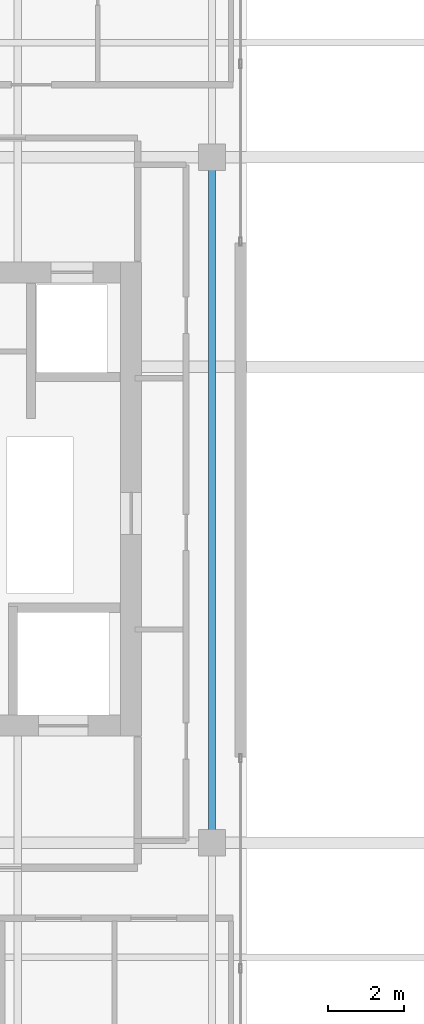
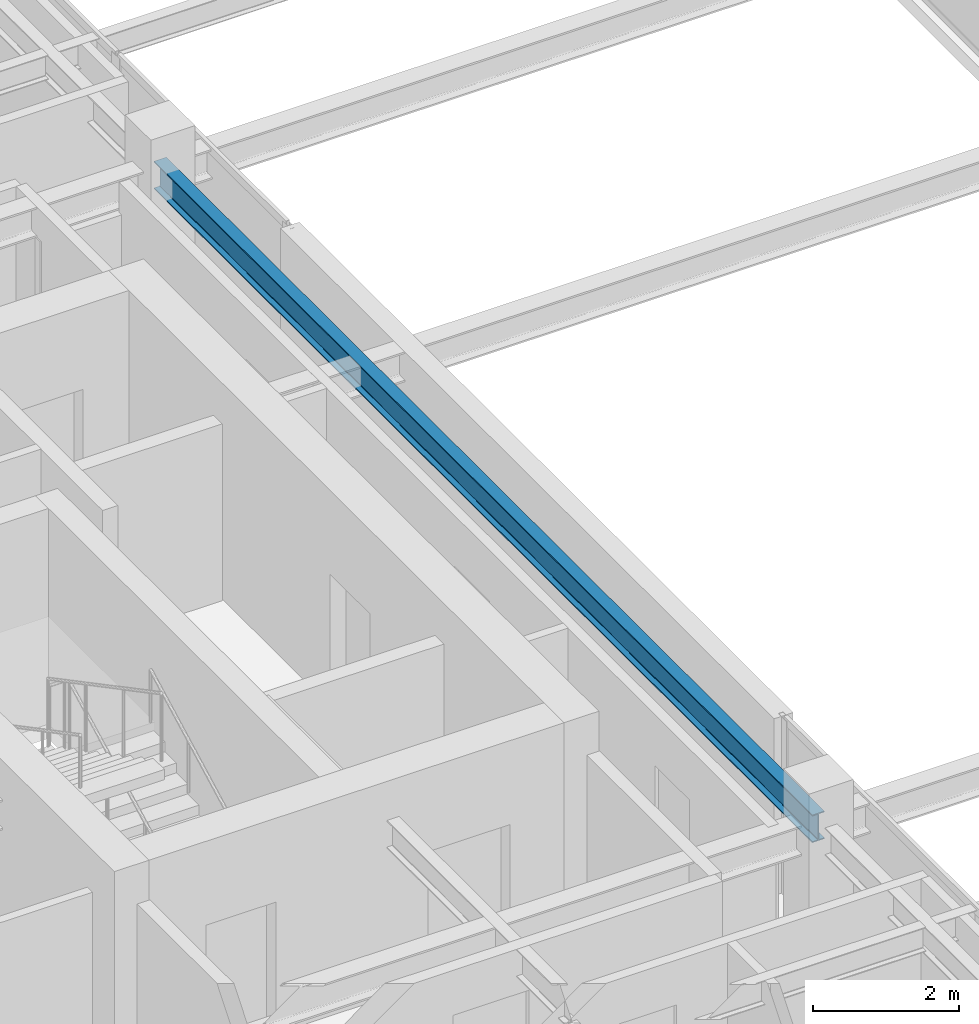
# One storey, part 8 of 25: 1 beam.
"""IFC4 building model written with IfcOpenShell, lengths in metres."""

from ifc_helpers import new_model, si_unit, direction, frame, origin, origin_2d, place, context, subcontext, project, spatial, i_section, extrude, source, transform, mapped, material, material_profile, profile_set, type_object, element, save


model = new_model("IFC4")

# Units and contexts
model_context = context("Model", 3, precision=1e-05, world=origin(), true_north=direction((0.0, 1.0)))
body_context = subcontext(model_context, "Body", "Model", "MODEL_VIEW")
ifc_project = project(units=[si_unit("LENGTHUNIT", "METRE"), si_unit("AREAUNIT", "SQUARE_METRE"), si_unit("VOLUMEUNIT", "CUBIC_METRE"), si_unit("PLANEANGLEUNIT", "RADIAN"), si_unit("MASSUNIT", "GRAM", prefix="KILO")], contexts=[model_context])

# Site, building, storey
site_placement = place(None, origin())
site = spatial("IfcSite", under=ifc_project, at=site_placement, CompositionType="ELEMENT")
building_placement = place(site_placement, origin())
building = spatial("IfcBuilding", under=site, at=building_placement, Name="Khoralis Quay Care Tower", CompositionType="ELEMENT")
storey_placement = place(building_placement, frame((0.0, 0.0, 263.699951171875)))
storey = spatial("IfcBuildingStorey", under=building, at=storey_placement, Name="L69", CompositionType="ELEMENT", Elevation=263.699951171875)

# Beam
ifc_material = material(Name="Steel S355", Category="steel")
ifc_material_profile = material_profile(ifc_material, i_section(OverallWidth=0.19189453125, OverallDepth=0.462890625, WebThickness=0.010498046875, FlangeThickness=0.017578125, FilletRadius=0.014892578125, at=origin_2d()), Name="Steel S355")
ifc_profile_set = profile_set([ifc_material_profile], Name="Steel S355")
beam_type = type_object("IfcBeamType", Name="BM-W460X89", PredefinedType="BEAM", material=ifc_profile_set)
shared_shape = source(origin(), body_context, "Body", "SweptSolid", [
    extrude(i_section(OverallWidth=0.19189453125, OverallDepth=0.462890625, WebThickness=0.010498046875, FlangeThickness=0.017578125, FilletRadius=0.014892578125, at=origin_2d()), origin(), (0.0, 0.0, 1.0), 18.0),
])
beam_placement = place(storey_placement, frame((17.10009765625, 12.0, 2.718505859375), z_axis=(0.0, 1.0, 0.0), x_axis=(-1.0, 0.0, 0.0)))
element("IfcBeam", 1, at=beam_placement, inside=storey, type_object=beam_type, Name="BM-TGSW-L69", PredefinedType="BEAM", context=body_context, shape_type="MappedRepresentation", body=[
    mapped(shared_shape, transform((0.0, 0.0, 0.0), scale=1.0)),
])

save(model, "model.ifc")
